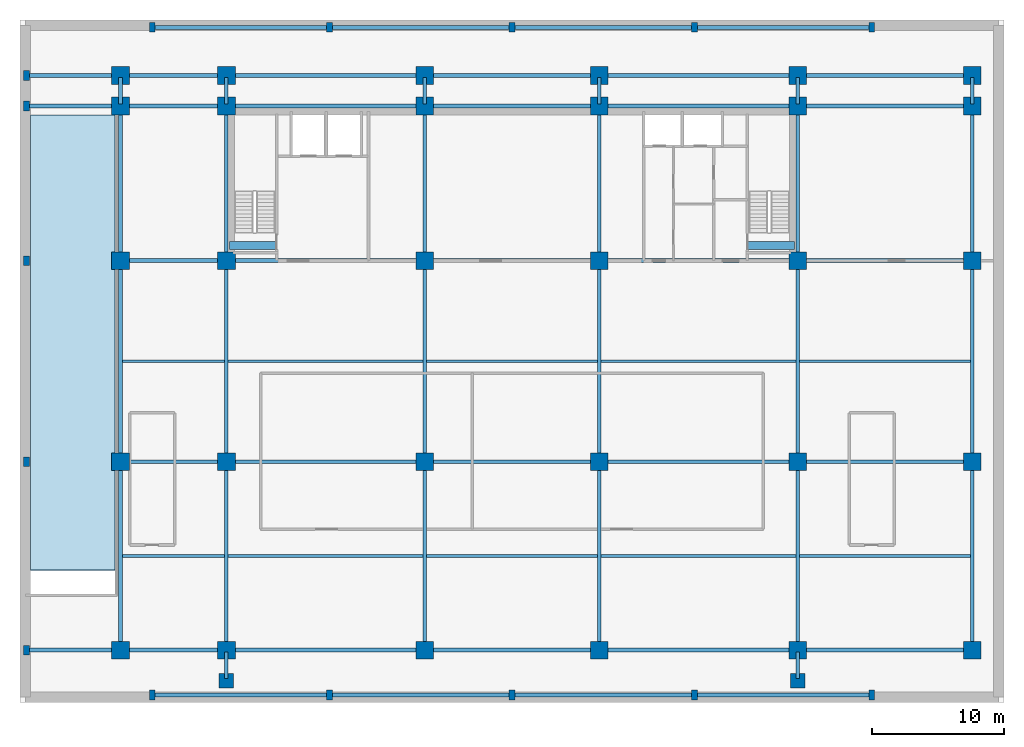
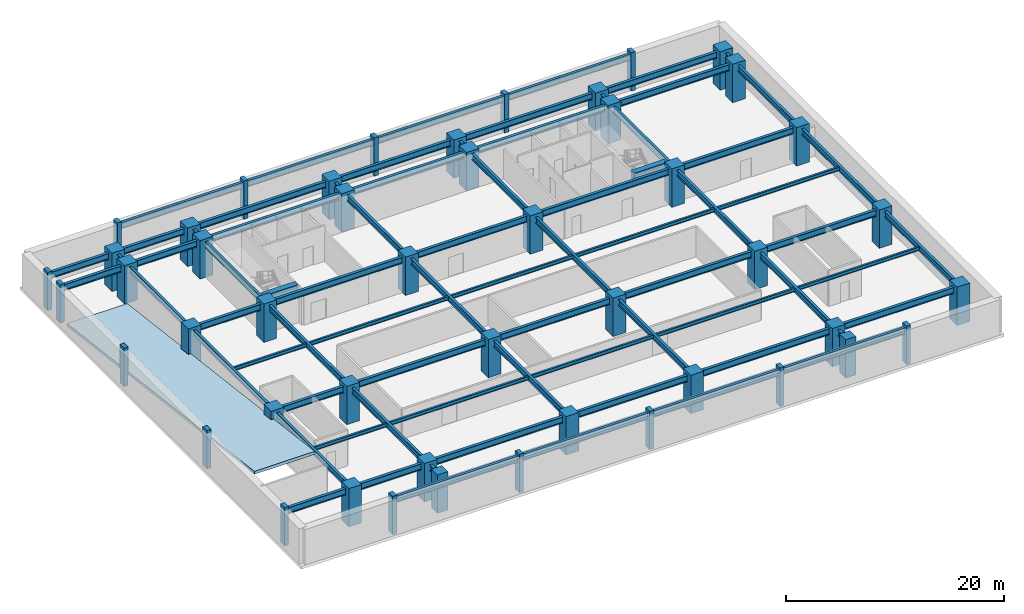
# One storey, part 1 of 8: 74 beams, 47 columns, 1 slab.
"""IFC4 building model written with IfcOpenShell, lengths in metres."""

from ifc_helpers import new_model, si_unit, direction, frame, origin, origin_2d, place, context, subcontext, project, spatial, polyline, rectangle, i_section, outline, extrude, source, transform, mapped, material, layer, layer_set, material_profile, profile_set, type_object, element, save


model = new_model("IFC4")

# Units and contexts
model_context = context("Model", 3, precision=1e-05, world=origin(), true_north=direction((0.0, 1.0)))
body_context = subcontext(model_context, "Body", "Model", "MODEL_VIEW")
ifc_project = project(units=[si_unit("LENGTHUNIT", "METRE"), si_unit("AREAUNIT", "SQUARE_METRE"), si_unit("VOLUMEUNIT", "CUBIC_METRE"), si_unit("PLANEANGLEUNIT", "RADIAN"), si_unit("MASSUNIT", "GRAM", prefix="KILO")], contexts=[model_context])

# Site, building, storey
site_placement = place(None, origin())
site = spatial("IfcSite", under=ifc_project, at=site_placement, CompositionType="ELEMENT")
building_placement = place(site_placement, origin())
building = spatial("IfcBuilding", under=site, at=building_placement, Name="Trelvane Seafront Commons", CompositionType="ELEMENT")
storey_placement = place(building_placement, frame((0.0, 0.0, -8.60009765625)))
storey = spatial("IfcBuildingStorey", under=building, at=storey_placement, Name="B02", CompositionType="ELEMENT", Elevation=-8.60009765625)

# Columns
ifc_material_1 = material(Name="Concrete C50/60", Category="concrete")
ifc_material_profile_1 = material_profile(ifc_material_1, rectangle(XDim=0.449951171875, YDim=0.75, at=origin_2d()), Name="RC-450x750")
ifc_profile_set_1 = profile_set([ifc_material_profile_1], Name="Concrete C50/60")
column_type_1 = type_object("IfcColumnType", Name="STR-PIL-RC450x750", PredefinedType="PILASTER", material=ifc_profile_set_1)
shared_shape_1 = source(origin(), body_context, "Body", "SweptSolid", [
    extrude(rectangle(XDim=0.449951171875, YDim=0.75, at=origin_2d()), origin(), (0.0, 0.0, 1.0), 4.300048828125),
])
for number, where, z_axis, x_axis, name in (
    (1, (0.5, 3.949951171875, 0.0), (0.0, 0.0, 1.0), (1.0, 0.0, 0.0), "B02 Column PC-1-1"),
    (2, (0.5, 18.199951171875, 0.0), (0.0, 0.0, 1.0), (1.0, 0.0, 0.0), "B02 Column PC-1-2"),
    (3, (0.5, 33.39990234375, 0.0), (0.0, 0.0, 1.0), (1.0, 0.0, 0.0), "B02 Column PC-1-3"),
    (4, (0.5, 45.10009765625, 0.0), (0.0, 0.0, 1.0), (1.0, 0.0, 0.0), "B02 Column PC-1-4"),
    (5, (0.5, 47.39990234375, 0.0), (0.0, 0.0, 1.0), (1.0, 0.0, 0.0), "B02 Column PC-1-5"),
    (6, (10.0, 0.550048828125, 0.0), (0.0, 0.0, 1.0), (1.0, 0.0, 0.0), "B02 Column PIL-S1"),
    (7, (10.0, 51.050048828125, 0.0), (0.0, 0.0, 1.0), (1.0, 0.0, 0.0), "B02 Column PIL-N1"),
    (8, (23.39990234375, 0.550048828125, 0.0), (0.0, 0.0, 1.0), (1.0, 0.0, 0.0), "B02 Column PIL-S2"),
    (9, (23.39990234375, 51.050048828125, 0.0), (0.0, 0.0, 1.0), (1.0, 0.0, 0.0), "B02 Column PIL-N2"),
    (10, (37.199951171875, 0.550048828125, 0.0), (0.0, 0.0, 1.0), (1.0, 0.0, 0.0), "B02 Column PIL-S3"),
    (11, (37.199951171875, 51.050048828125, 0.0), (0.0, 0.0, 1.0), (1.0, 0.0, 0.0), "B02 Column PIL-N3"),
    (12, (51.0, 0.550048828125, 0.0), (0.0, 0.0, 1.0), (1.0, 0.0, 0.0), "B02 Column PIL-S4"),
    (13, (51.0, 51.050048828125, 0.0), (0.0, 0.0, 1.0), (1.0, 0.0, 0.0), "B02 Column PIL-N4"),
    (14, (64.39990234375, 0.550048828125, 0.0), (0.0, 0.0, 1.0), (1.0, 0.0, 0.0), "B02 Column PIL-S5"),
    (15, (64.39990234375, 51.050048828125, 0.0), (0.0, 0.0, 1.0), (1.0, 0.0, 0.0), "B02 Column PIL-N5"),
):
    element("IfcColumn", number, at=place(storey_placement, frame(where, z_axis=z_axis, x_axis=x_axis)), inside=storey, type_object=column_type_1, Name=name, PredefinedType="PILASTER", context=body_context, shape_type="MappedRepresentation", body=[
        mapped(shared_shape_1, transform((0.0, 0.0, 0.0), x_axis=(1.0, 0.0, 0.0), y_axis=(0.0, 1.0, 0.0), z_axis=(0.0, 0.0, 1.0), scale=1.0)),
    ])
ifc_material_2 = material(Name="Concrete C60/75", Category="concrete")
ifc_material_profile_2 = material_profile(ifc_material_2, rectangle(XDim=1.35009765625, YDim=1.35009765625, at=origin_2d()), Name="RC-1350x1350")
ifc_profile_set_2 = profile_set([ifc_material_profile_2], Name="Concrete C60/75")
column_type_2 = type_object("IfcColumnType", Name="STR-COL-RC1350", PredefinedType="COLUMN", material=ifc_profile_set_2)
shared_shape_2 = source(origin(), body_context, "Body", "SweptSolid", [
    extrude(rectangle(XDim=1.35009765625, YDim=1.35009765625, at=origin_2d()), origin(), (0.0, 0.0, 1.0), 4.300048828125),
])
for number, where, z_axis, x_axis, name in (
    (16, (7.60009765625, 3.949951171875, 0.0), (0.0, 0.0, 1.0), (1.0, 0.0, 0.0), "B02 Column PC-2-1"),
    (17, (7.60009765625, 18.199951171875, 0.0), (0.0, 0.0, 1.0), (1.0, 0.0, 0.0), "B02 Column PC-2-2"),
    (18, (7.60009765625, 33.39990234375, 0.0), (0.0, 0.0, 1.0), (1.0, 0.0, 0.0), "B02 Column PC-2-3"),
    (19, (7.60009765625, 45.10009765625, 0.0), (0.0, 0.0, 1.0), (1.0, 0.0, 0.0), "B02 Column PC-2-4"),
    (20, (7.60009765625, 47.39990234375, 0.0), (0.0, 0.0, 1.0), (1.0, 0.0, 0.0), "B02 Column PC-2-5"),
    (21, (15.60009765625, 3.949951171875, 0.0), (0.0, 0.0, 1.0), (1.0, 0.0, 0.0), "B02 Column PC-3-1"),
    (22, (15.60009765625, 18.199951171875, 0.0), (0.0, 0.0, 1.0), (1.0, 0.0, 0.0), "B02 Column PC-3-2"),
    (23, (15.60009765625, 33.39990234375, 0.0), (0.0, 0.0, 1.0), (1.0, 0.0, 0.0), "B02 Column PC-3-3"),
    (24, (15.60009765625, 45.10009765625, 0.0), (0.0, 0.0, 1.0), (1.0, 0.0, 0.0), "B02 Column PC-3-4"),
    (25, (15.60009765625, 47.39990234375, 0.0), (0.0, 0.0, 1.0), (1.0, 0.0, 0.0), "B02 Column PC-3-5"),
    (26, (30.60009765625, 3.949951171875, 0.0), (0.0, 0.0, 1.0), (1.0, 0.0, 0.0), "B02 Column PC-4-1"),
    (27, (30.60009765625, 18.199951171875, 0.0), (0.0, 0.0, 1.0), (1.0, 0.0, 0.0), "B02 Column PC-4-2"),
    (28, (30.60009765625, 33.39990234375, 0.0), (0.0, 0.0, 1.0), (1.0, 0.0, 0.0), "B02 Column PC-4-3"),
    (29, (30.60009765625, 45.10009765625, 0.0), (0.0, 0.0, 1.0), (1.0, 0.0, 0.0), "B02 Column PC-4-4"),
    (30, (30.60009765625, 47.39990234375, 0.0), (0.0, 0.0, 1.0), (1.0, 0.0, 0.0), "B02 Column PC-4-5"),
    (31, (43.800048828125, 3.949951171875, 0.0), (0.0, 0.0, 1.0), (1.0, 0.0, 0.0), "B02 Column PC-5-1"),
    (32, (43.800048828125, 18.199951171875, 0.0), (0.0, 0.0, 1.0), (1.0, 0.0, 0.0), "B02 Column PC-5-2"),
    (33, (43.800048828125, 33.39990234375, 0.0), (0.0, 0.0, 1.0), (1.0, 0.0, 0.0), "B02 Column PC-5-3"),
    (34, (43.800048828125, 45.10009765625, 0.0), (0.0, 0.0, 1.0), (1.0, 0.0, 0.0), "B02 Column PC-5-4"),
    (35, (43.800048828125, 47.39990234375, 0.0), (0.0, 0.0, 1.0), (1.0, 0.0, 0.0), "B02 Column PC-5-5"),
    (36, (58.800048828125, 3.949951171875, 0.0), (0.0, 0.0, 1.0), (1.0, 0.0, 0.0), "B02 Column PC-6-1"),
    (37, (58.800048828125, 18.199951171875, 0.0), (0.0, 0.0, 1.0), (1.0, 0.0, 0.0), "B02 Column PC-6-2"),
    (38, (58.800048828125, 33.39990234375, 0.0), (0.0, 0.0, 1.0), (1.0, 0.0, 0.0), "B02 Column PC-6-3"),
    (39, (58.800048828125, 45.10009765625, 0.0), (0.0, 0.0, 1.0), (1.0, 0.0, 0.0), "B02 Column PC-6-4"),
    (40, (58.800048828125, 47.39990234375, 0.0), (0.0, 0.0, 1.0), (1.0, 0.0, 0.0), "B02 Column PC-6-5"),
    (41, (72.0, 3.949951171875, 0.0), (0.0, 0.0, 1.0), (1.0, 0.0, 0.0), "B02 Column PC-7-1"),
    (42, (72.0, 18.199951171875, 0.0), (0.0, 0.0, 1.0), (1.0, 0.0, 0.0), "B02 Column PC-7-2"),
    (43, (72.0, 33.39990234375, 0.0), (0.0, 0.0, 1.0), (1.0, 0.0, 0.0), "B02 Column PC-7-3"),
    (44, (72.0, 45.10009765625, 0.0), (0.0, 0.0, 1.0), (1.0, 0.0, 0.0), "B02 Column PC-7-4"),
    (45, (72.0, 47.39990234375, 0.0), (0.0, 0.0, 1.0), (1.0, 0.0, 0.0), "B02 Column PC-7-5"),
):
    element("IfcColumn", number, at=place(storey_placement, frame(where, z_axis=z_axis, x_axis=x_axis)), inside=storey, type_object=column_type_2, Name=name, PredefinedType="COLUMN", context=body_context, shape_type="MappedRepresentation", body=[
        mapped(shared_shape_2, transform((0.0, 0.0, 0.0), x_axis=(1.0, 0.0, 0.0), y_axis=(0.0, 1.0, 0.0), z_axis=(0.0, 0.0, 1.0), scale=1.0)),
    ])
ifc_material_profile_3 = material_profile(ifc_material_2, rectangle(XDim=1.10009765625, YDim=1.10009765625, at=origin_2d()), Name="RC-1100x1100")
ifc_profile_set_3 = profile_set([ifc_material_profile_3], Name="Concrete C60/75")
column_type_3 = type_object("IfcColumnType", Name="STR-COL-RC1100", PredefinedType="COLUMN", material=ifc_profile_set_3)
shared_shape_3 = source(origin(), body_context, "Body", "SweptSolid", [
    extrude(rectangle(XDim=1.10009765625, YDim=1.10009765625, at=origin_2d()), origin(), (0.0, 0.0, 1.0), 4.300048828125),
])
for number, where, z_axis, x_axis, name in (
    (46, (15.60009765625, 1.64990234375, 0.0), (0.0, 0.0, 1.0), (1.0, 0.0, 0.0), "B02 Column PIL-VP-W"),
    (47, (58.800048828125, 1.64990234375, 0.0), (0.0, 0.0, 1.0), (1.0, 0.0, 0.0), "B02 Column PIL-VP-E"),
):
    element("IfcColumn", number, at=place(storey_placement, frame(where, z_axis=z_axis, x_axis=x_axis)), inside=storey, type_object=column_type_3, Name=name, PredefinedType="COLUMN", context=body_context, shape_type="MappedRepresentation", body=[
        mapped(shared_shape_3, transform((0.0, 0.0, 0.0), x_axis=(1.0, 0.0, 0.0), y_axis=(0.0, 1.0, 0.0), z_axis=(0.0, 0.0, 1.0), scale=1.0)),
    ])

# Beams
ifc_material_3 = material(Name="Steel SM355 (S355)", Category="steel")
ifc_material_profile_4 = material_profile(ifc_material_3, i_section(OverallWidth=0.280029296875, OverallDepth=0.64990234375, WebThickness=0.012939453125, FlangeThickness=0.02197265625, at=origin_2d()), Name="H-650x280x13x22")
ifc_profile_set_4 = profile_set([ifc_material_profile_4], Name="Steel SM355 (S355)")
beam_type_1 = type_object("IfcBeamType", Name="STR-BM-H650", PredefinedType="BEAM", material=ifc_profile_set_4)
shared_shape_4 = source(origin(), body_context, "Body", "SweptSolid", [
    extrude(i_section(OverallWidth=0.280029296875, OverallDepth=0.64990234375, WebThickness=0.012939453125, FlangeThickness=0.02197265625, at=origin_2d()), origin(), (0.0, 0.0, 1.0), 13.949951171875),
])
for number, where, z_axis, x_axis, name in (
    (48, (7.60009765625, 4.10009765625, 3.655029296875), (0.0, 1.0, 0.0), (-1.0, 0.0, 0.0), "B02 Primary Girder G-39"),
    (49, (15.60009765625, 4.10009765625, 3.655029296875), (0.0, 1.0, 0.0), (-1.0, 0.0, 0.0), "B02 Primary Girder G-44"),
    (50, (30.60009765625, 4.10009765625, 3.655029296875), (0.0, 1.0, 0.0), (-1.0, 0.0, 0.0), "B02 Primary Girder G-48"),
    (51, (43.800048828125, 4.10009765625, 3.655029296875), (0.0, 1.0, 0.0), (-1.0, 0.0, 0.0), "B02 Primary Girder G-52"),
    (52, (58.800048828125, 4.10009765625, 3.655029296875), (0.0, 1.0, 0.0), (-1.0, 0.0, 0.0), "B02 Primary Girder G-57"),
    (53, (72.0, 4.10009765625, 3.655029296875), (0.0, 1.0, 0.0), (-1.0, 0.0, 0.0), "B02 Primary Girder G-61"),
):
    element("IfcBeam", number, at=place(storey_placement, frame(where, z_axis=z_axis, x_axis=x_axis)), inside=storey, type_object=beam_type_1, Name=name, PredefinedType="BEAM", context=body_context, shape_type="MappedRepresentation", body=[
        mapped(shared_shape_4, transform((0.0, 0.0, 0.0), x_axis=(1.0, 0.0, 0.0), y_axis=(0.0, 1.0, 0.0), z_axis=(0.0, 0.0, 1.0), scale=1.0)),
    ])
shared_shape_5 = source(origin(), body_context, "Body", "SweptSolid", [
    extrude(i_section(OverallWidth=0.280029296875, OverallDepth=0.64990234375, WebThickness=0.012939453125, FlangeThickness=0.02197265625, at=origin_2d()), origin(), (0.0, 0.0, 1.0), 14.89990234375),
])
for number, where, z_axis, x_axis, name in (
    (54, (7.60009765625, 18.35009765625, 3.655029296875), (0.0, 1.0, 0.0), (-1.0, 0.0, 0.0), "B02 Primary Girder G-40"),
    (55, (15.60009765625, 18.35009765625, 3.655029296875), (0.0, 1.0, 0.0), (-1.0, 0.0, 0.0), "B02 Primary Girder G-45"),
    (56, (30.60009765625, 18.35009765625, 3.655029296875), (0.0, 1.0, 0.0), (-1.0, 0.0, 0.0), "B02 Primary Girder G-49"),
    (57, (43.800048828125, 18.35009765625, 3.655029296875), (0.0, 1.0, 0.0), (-1.0, 0.0, 0.0), "B02 Primary Girder G-53"),
    (58, (58.800048828125, 18.35009765625, 3.655029296875), (0.0, 1.0, 0.0), (-1.0, 0.0, 0.0), "B02 Primary Girder G-58"),
    (59, (72.0, 18.35009765625, 3.655029296875), (0.0, 1.0, 0.0), (-1.0, 0.0, 0.0), "B02 Primary Girder G-62"),
):
    element("IfcBeam", number, at=place(storey_placement, frame(where, z_axis=z_axis, x_axis=x_axis)), inside=storey, type_object=beam_type_1, Name=name, PredefinedType="BEAM", context=body_context, shape_type="MappedRepresentation", body=[
        mapped(shared_shape_5, transform((0.0, 0.0, 0.0), x_axis=(1.0, 0.0, 0.0), y_axis=(0.0, 1.0, 0.0), z_axis=(0.0, 0.0, 1.0), scale=1.0)),
    ])
shared_shape_6 = source(origin(), body_context, "Body", "SweptSolid", [
    extrude(i_section(OverallWidth=0.280029296875, OverallDepth=0.64990234375, WebThickness=0.012939453125, FlangeThickness=0.02197265625, at=origin_2d()), origin(), (0.0, 0.0, 1.0), 11.39990234375),
])
for number, where, z_axis, x_axis, name in (
    (60, (7.60009765625, 33.550048828125, 3.655029296875), (0.0, 1.0, 0.0), (-1.0, 0.0, 0.0), "B02 Primary Girder G-41"),
    (61, (15.60009765625, 33.550048828125, 3.655029296875), (0.0, 1.0, 0.0), (-1.0, 0.0, 0.0), "B02 Primary Girder G-46"),
    (62, (30.60009765625, 33.550048828125, 3.655029296875), (0.0, 1.0, 0.0), (-1.0, 0.0, 0.0), "B02 Primary Girder G-50"),
    (63, (43.800048828125, 33.550048828125, 3.655029296875), (0.0, 1.0, 0.0), (-1.0, 0.0, 0.0), "B02 Primary Girder G-54"),
    (64, (58.800048828125, 33.550048828125, 3.655029296875), (0.0, 1.0, 0.0), (-1.0, 0.0, 0.0), "B02 Primary Girder G-59"),
    (65, (72.0, 33.550048828125, 3.655029296875), (0.0, 1.0, 0.0), (-1.0, 0.0, 0.0), "B02 Primary Girder G-63"),
):
    element("IfcBeam", number, at=place(storey_placement, frame(where, z_axis=z_axis, x_axis=x_axis)), inside=storey, type_object=beam_type_1, Name=name, PredefinedType="BEAM", context=body_context, shape_type="MappedRepresentation", body=[
        mapped(shared_shape_6, transform((0.0, 0.0, 0.0), x_axis=(1.0, 0.0, 0.0), y_axis=(0.0, 1.0, 0.0), z_axis=(0.0, 0.0, 1.0), scale=1.0)),
    ])
shared_shape_7 = source(origin(), body_context, "Body", "SweptSolid", [
    extrude(i_section(OverallWidth=0.280029296875, OverallDepth=0.64990234375, WebThickness=0.012939453125, FlangeThickness=0.02197265625, at=origin_2d()), origin(), (0.0, 0.0, 1.0), 2.0),
])
for number, where, z_axis, x_axis, name in (
    (66, (7.60009765625, 45.25, 3.655029296875), (0.0, 1.0, 0.0), (-1.0, 0.0, 0.0), "B02 Primary Girder G-42"),
    (67, (15.60009765625, 1.800048828125, 3.655029296875), (0.0, 1.0, 0.0), (-1.0, 0.0, 0.0), "B02 Primary Girder G-43"),
    (68, (15.60009765625, 45.25, 3.655029296875), (0.0, 1.0, 0.0), (-1.0, 0.0, 0.0), "B02 Primary Girder G-47"),
    (69, (30.60009765625, 45.25, 3.655029296875), (0.0, 1.0, 0.0), (-1.0, 0.0, 0.0), "B02 Primary Girder G-51"),
    (70, (43.800048828125, 45.25, 3.655029296875), (0.0, 1.0, 0.0), (-1.0, 0.0, 0.0), "B02 Primary Girder G-55"),
    (71, (58.800048828125, 1.800048828125, 3.655029296875), (0.0, 1.0, 0.0), (-1.0, 0.0, 0.0), "B02 Primary Girder G-56"),
    (72, (58.800048828125, 45.25, 3.655029296875), (0.0, 1.0, 0.0), (-1.0, 0.0, 0.0), "B02 Primary Girder G-60"),
    (73, (72.0, 45.25, 3.655029296875), (0.0, 1.0, 0.0), (-1.0, 0.0, 0.0), "B02 Primary Girder G-64"),
):
    element("IfcBeam", number, at=place(storey_placement, frame(where, z_axis=z_axis, x_axis=x_axis)), inside=storey, type_object=beam_type_1, Name=name, PredefinedType="BEAM", context=body_context, shape_type="MappedRepresentation", body=[
        mapped(shared_shape_7, transform((0.0, 0.0, 0.0), x_axis=(1.0, 0.0, 0.0), y_axis=(0.0, 1.0, 0.0), z_axis=(0.0, 0.0, 1.0), scale=1.0)),
    ])
ifc_material_profile_5 = material_profile(ifc_material_3, i_section(OverallWidth=0.199951171875, OverallDepth=0.39990234375, WebThickness=0.008056640625, FlangeThickness=0.012939453125, at=origin_2d()), Name="H-400x200x8x13")
ifc_profile_set_5 = profile_set([ifc_material_profile_5], Name="Steel SM355 (S355)")
beam_type_2 = type_object("IfcBeamType", Name="STR-JST-H400", PredefinedType="JOIST", material=ifc_profile_set_5)
shared_shape_8 = source(origin(), body_context, "Body", "SweptSolid", [
    extrude(i_section(OverallWidth=0.199951171875, OverallDepth=0.39990234375, WebThickness=0.008056640625, FlangeThickness=0.012939453125, at=origin_2d()), origin(), (0.0, 0.0, 1.0), 7.719970703125),
])
for number, where, z_axis, x_axis, name in (
    (74, (7.739990234375, 11.074951171875, 3.780029296875), (1.0, 0.0, 0.0), (0.0, 1.0, 0.0), "B02 Secondary Floor Joist B-65"),
    (75, (7.739990234375, 25.800048828125, 3.780029296875), (1.0, 0.0, 0.0), (0.0, 1.0, 0.0), "B02 Secondary Floor Joist B-70"),
):
    element("IfcBeam", number, at=place(storey_placement, frame(where, z_axis=z_axis, x_axis=x_axis)), inside=storey, type_object=beam_type_2, Name=name, PredefinedType="JOIST", context=body_context, shape_type="MappedRepresentation", body=[
        mapped(shared_shape_8, transform((0.0, 0.0, 0.0), x_axis=(1.0, 0.0, 0.0), y_axis=(0.0, 1.0, 0.0), z_axis=(0.0, 0.0, 1.0), scale=1.0)),
    ])
shared_shape_9 = source(origin(), body_context, "Body", "SweptSolid", [
    extrude(i_section(OverallWidth=0.199951171875, OverallDepth=0.39990234375, WebThickness=0.008056640625, FlangeThickness=0.012939453125, at=origin_2d()), origin(), (0.0, 0.0, 1.0), 14.719970703125),
])
for number, where, z_axis, x_axis, name in (
    (76, (15.739990234375, 11.074951171875, 3.780029296875), (1.0, 0.0, 0.0), (0.0, 1.0, 0.0), "B02 Secondary Floor Joist B-66"),
    (77, (43.93994140625, 11.074951171875, 3.780029296875), (1.0, 0.0, 0.0), (0.0, 1.0, 0.0), "B02 Secondary Floor Joist B-68"),
    (78, (15.739990234375, 25.800048828125, 3.780029296875), (1.0, 0.0, 0.0), (0.0, 1.0, 0.0), "B02 Secondary Floor Joist B-71"),
    (79, (43.93994140625, 25.800048828125, 3.780029296875), (1.0, 0.0, 0.0), (0.0, 1.0, 0.0), "B02 Secondary Floor Joist B-73"),
):
    element("IfcBeam", number, at=place(storey_placement, frame(where, z_axis=z_axis, x_axis=x_axis)), inside=storey, type_object=beam_type_2, Name=name, PredefinedType="JOIST", context=body_context, shape_type="MappedRepresentation", body=[
        mapped(shared_shape_9, transform((0.0, 0.0, 0.0), x_axis=(1.0, 0.0, 0.0), y_axis=(0.0, 1.0, 0.0), z_axis=(0.0, 0.0, 1.0), scale=1.0)),
    ])
shared_shape_10 = source(origin(), body_context, "Body", "SweptSolid", [
    extrude(i_section(OverallWidth=0.199951171875, OverallDepth=0.39990234375, WebThickness=0.008056640625, FlangeThickness=0.012939453125, at=origin_2d()), origin(), (0.0, 0.0, 1.0), 12.919921875),
])
for number, where, z_axis, x_axis, name in (
    (80, (30.739990234375, 11.074951171875, 3.780029296875), (1.0, 0.0, 0.0), (0.0, 1.0, 0.0), "B02 Secondary Floor Joist B-67"),
    (81, (30.739990234375, 25.800048828125, 3.780029296875), (1.0, 0.0, 0.0), (0.0, 1.0, 0.0), "B02 Secondary Floor Joist B-72"),
):
    element("IfcBeam", number, at=place(storey_placement, frame(where, z_axis=z_axis, x_axis=x_axis)), inside=storey, type_object=beam_type_2, Name=name, PredefinedType="JOIST", context=body_context, shape_type="MappedRepresentation", body=[
        mapped(shared_shape_10, transform((0.0, 0.0, 0.0), x_axis=(1.0, 0.0, 0.0), y_axis=(0.0, 1.0, 0.0), z_axis=(0.0, 0.0, 1.0), scale=1.0)),
    ])
shared_shape_11 = source(origin(), body_context, "Body", "SweptSolid", [
    extrude(i_section(OverallWidth=0.199951171875, OverallDepth=0.39990234375, WebThickness=0.008056640625, FlangeThickness=0.012939453125, at=origin_2d()), origin(), (0.0, 0.0, 1.0), 12.920166015625),
])
for number, where, z_axis, x_axis, name in (
    (82, (58.93994140625, 11.074951171875, 3.780029296875), (1.0, 0.0, 0.0), (0.0, 1.0, 0.0), "B02 Secondary Floor Joist B-69"),
    (83, (58.93994140625, 25.800048828125, 3.780029296875), (1.0, 0.0, 0.0), (0.0, 1.0, 0.0), "B02 Secondary Floor Joist B-74"),
):
    element("IfcBeam", number, at=place(storey_placement, frame(where, z_axis=z_axis, x_axis=x_axis)), inside=storey, type_object=beam_type_2, Name=name, PredefinedType="JOIST", context=body_context, shape_type="MappedRepresentation", body=[
        mapped(shared_shape_11, transform((0.0, 0.0, 0.0), x_axis=(1.0, 0.0, 0.0), y_axis=(0.0, 1.0, 0.0), z_axis=(0.0, 0.0, 1.0), scale=1.0)),
    ])
ifc_material_profile_6 = material_profile(ifc_material_2, rectangle(XDim=0.60009765625, YDim=0.89990234375, at=origin_2d()), Name="RC-600x900")
ifc_profile_set_6 = profile_set([ifc_material_profile_6], Name="Concrete C60/75")
beam_type_3 = type_object("IfcBeamType", Name="STR-LNT-RC600x900", PredefinedType="LINTEL", material=ifc_profile_set_6)
shared_shape_12 = source(origin(), body_context, "Body", "SweptSolid", [
    extrude(rectangle(XDim=0.60009765625, YDim=0.89990234375, at=origin_2d()), origin(), (0.0, 0.0, 1.0), 3.5498046875),
])
beam_1_placement = place(storey_placement, frame((15.85009765625, 34.550048828125, 3.530029296875), z_axis=(1.0, 0.0, 0.0), x_axis=(0.0, 1.0, 0.0)))
element("IfcBeam", 84, at=beam_1_placement, inside=storey, type_object=beam_type_3, Name="B02 Core Coupling Lintel Beam CB-75", PredefinedType="LINTEL", context=body_context, shape_type="MappedRepresentation", body=[
    mapped(shared_shape_12, transform((0.0, 0.0, 0.0), x_axis=(1.0, 0.0, 0.0), y_axis=(0.0, 1.0, 0.0), z_axis=(0.0, 0.0, 1.0), scale=1.0)),
])
shared_shape_13 = source(origin(), body_context, "Body", "SweptSolid", [
    extrude(rectangle(XDim=0.60009765625, YDim=0.89990234375, at=origin_2d()), origin(), (0.0, 0.0, 1.0), 3.550048828125),
])
beam_2_placement = place(storey_placement, frame((55.0, 34.550048828125, 3.530029296875), z_axis=(1.0, 0.0, 0.0), x_axis=(0.0, 1.0, 0.0)))
element("IfcBeam", 85, at=beam_2_placement, inside=storey, type_object=beam_type_3, Name="B02 Core Coupling Lintel Beam CB-76", PredefinedType="LINTEL", context=body_context, shape_type="MappedRepresentation", body=[
    mapped(shared_shape_13, transform((0.0, 0.0, 0.0), x_axis=(1.0, 0.0, 0.0), y_axis=(0.0, 1.0, 0.0), z_axis=(0.0, 0.0, 1.0), scale=1.0)),
])
ifc_material_profile_7 = material_profile(ifc_material_3, i_section(OverallWidth=0.300048828125, OverallDepth=0.699951171875, WebThickness=0.012939453125, FlangeThickness=0.02392578125, at=origin_2d()), Name="H-700x300x13x24")
ifc_profile_set_7 = profile_set([ifc_material_profile_7], Name="Steel SM355 (S355)")
beam_type_4 = type_object("IfcBeamType", Name="STR-BM-H700", PredefinedType="BEAM", material=ifc_profile_set_7)
shared_shape_14 = source(origin(), body_context, "Body", "SweptSolid", [
    extrude(i_section(OverallWidth=0.300048828125, OverallDepth=0.699951171875, WebThickness=0.012939453125, FlangeThickness=0.02392578125, at=origin_2d()), origin(), (0.0, 0.0, 1.0), 13.175048828125),
])
for number, where, z_axis, x_axis, name in (
    (86, (10.112548828125, 0.550048828125, 3.630126953125), (1.0, 0.0, 0.0), (0.0, 1.0, 0.0), "B02 Primary Girder G-01"),
    (87, (51.112548828125, 0.550048828125, 3.630126953125), (1.0, 0.0, 0.0), (0.0, 1.0, 0.0), "B02 Primary Girder G-04"),
    (88, (10.112548828125, 51.050048828125, 3.630126953125), (1.0, 0.0, 0.0), (0.0, 1.0, 0.0), "B02 Primary Girder G-35"),
    (89, (51.112548828125, 51.050048828125, 3.630126953125), (1.0, 0.0, 0.0), (0.0, 1.0, 0.0), "B02 Primary Girder G-38"),
):
    element("IfcBeam", number, at=place(storey_placement, frame(where, z_axis=z_axis, x_axis=x_axis)), inside=storey, type_object=beam_type_4, Name=name, PredefinedType="BEAM", context=body_context, shape_type="MappedRepresentation", body=[
        mapped(shared_shape_14, transform((0.0, 0.0, 0.0), x_axis=(1.0, 0.0, 0.0), y_axis=(0.0, 1.0, 0.0), z_axis=(0.0, 0.0, 1.0), scale=1.0)),
    ])
shared_shape_15 = source(origin(), body_context, "Body", "SweptSolid", [
    extrude(i_section(OverallWidth=0.300048828125, OverallDepth=0.699951171875, WebThickness=0.012939453125, FlangeThickness=0.02392578125, at=origin_2d()), origin(), (0.0, 0.0, 1.0), 13.574951171875),
])
for number, where, z_axis, x_axis, name in (
    (90, (23.512451171875, 0.550048828125, 3.630126953125), (1.0, 0.0, 0.0), (0.0, 1.0, 0.0), "B02 Primary Girder G-02"),
    (91, (37.3125, 0.550048828125, 3.630126953125), (1.0, 0.0, 0.0), (0.0, 1.0, 0.0), "B02 Primary Girder G-03"),
    (92, (23.512451171875, 51.050048828125, 3.630126953125), (1.0, 0.0, 0.0), (0.0, 1.0, 0.0), "B02 Primary Girder G-36"),
    (93, (37.3125, 51.050048828125, 3.630126953125), (1.0, 0.0, 0.0), (0.0, 1.0, 0.0), "B02 Primary Girder G-37"),
):
    element("IfcBeam", number, at=place(storey_placement, frame(where, z_axis=z_axis, x_axis=x_axis)), inside=storey, type_object=beam_type_4, Name=name, PredefinedType="BEAM", context=body_context, shape_type="MappedRepresentation", body=[
        mapped(shared_shape_15, transform((0.0, 0.0, 0.0), x_axis=(1.0, 0.0, 0.0), y_axis=(0.0, 1.0, 0.0), z_axis=(0.0, 0.0, 1.0), scale=1.0)),
    ])
shared_shape_16 = source(origin(), body_context, "Body", "SweptSolid", [
    extrude(i_section(OverallWidth=0.300048828125, OverallDepth=0.699951171875, WebThickness=0.012939453125, FlangeThickness=0.02392578125, at=origin_2d()), origin(), (0.0, 0.0, 1.0), 6.83740234375),
])
for number, where, z_axis, x_axis, name in (
    (94, (0.612548828125, 3.949951171875, 3.630126953125), (1.0, 0.0, 0.0), (0.0, 1.0, 0.0), "B02 Primary Girder G-05"),
    (95, (0.612548828125, 45.10009765625, 3.630126953125), (1.0, 0.0, 0.0), (0.0, 1.0, 0.0), "B02 Primary Girder G-23"),
    (96, (0.612548828125, 47.39990234375, 3.630126953125), (1.0, 0.0, 0.0), (0.0, 1.0, 0.0), "B02 Primary Girder G-29"),
):
    element("IfcBeam", number, at=place(storey_placement, frame(where, z_axis=z_axis, x_axis=x_axis)), inside=storey, type_object=beam_type_4, Name=name, PredefinedType="BEAM", context=body_context, shape_type="MappedRepresentation", body=[
        mapped(shared_shape_16, transform((0.0, 0.0, 0.0), x_axis=(1.0, 0.0, 0.0), y_axis=(0.0, 1.0, 0.0), z_axis=(0.0, 0.0, 1.0), scale=1.0)),
    ])
shared_shape_17 = source(origin(), body_context, "Body", "SweptSolid", [
    extrude(i_section(OverallWidth=0.300048828125, OverallDepth=0.699951171875, WebThickness=0.012939453125, FlangeThickness=0.02392578125, at=origin_2d()), origin(), (0.0, 0.0, 1.0), 7.699951171875),
])
for number, where, z_axis, x_axis, name in (
    (97, (7.75, 3.949951171875, 3.630126953125), (1.0, 0.0, 0.0), (0.0, 1.0, 0.0), "B02 Primary Girder G-06"),
    (98, (7.75, 18.199951171875, 3.630126953125), (1.0, 0.0, 0.0), (0.0, 1.0, 0.0), "B02 Primary Girder G-12"),
    (99, (7.75, 33.39990234375, 3.630126953125), (1.0, 0.0, 0.0), (0.0, 1.0, 0.0), "B02 Primary Girder G-18"),
    (100, (7.75, 45.10009765625, 3.630126953125), (1.0, 0.0, 0.0), (0.0, 1.0, 0.0), "B02 Primary Girder G-24"),
    (101, (7.75, 47.39990234375, 3.630126953125), (1.0, 0.0, 0.0), (0.0, 1.0, 0.0), "B02 Primary Girder G-30"),
):
    element("IfcBeam", number, at=place(storey_placement, frame(where, z_axis=z_axis, x_axis=x_axis)), inside=storey, type_object=beam_type_4, Name=name, PredefinedType="BEAM", context=body_context, shape_type="MappedRepresentation", body=[
        mapped(shared_shape_17, transform((0.0, 0.0, 0.0), x_axis=(1.0, 0.0, 0.0), y_axis=(0.0, 1.0, 0.0), z_axis=(0.0, 0.0, 1.0), scale=1.0)),
    ])
shared_shape_18 = source(origin(), body_context, "Body", "SweptSolid", [
    extrude(i_section(OverallWidth=0.300048828125, OverallDepth=0.699951171875, WebThickness=0.012939453125, FlangeThickness=0.02392578125, at=origin_2d()), origin(), (0.0, 0.0, 1.0), 14.699951171875),
])
for number, where, z_axis, x_axis, name in (
    (102, (15.75, 3.949951171875, 3.630126953125), (1.0, 0.0, 0.0), (0.0, 1.0, 0.0), "B02 Primary Girder G-07"),
    (103, (43.949951171875, 3.949951171875, 3.630126953125), (1.0, 0.0, 0.0), (0.0, 1.0, 0.0), "B02 Primary Girder G-09"),
    (104, (15.75, 18.199951171875, 3.630126953125), (1.0, 0.0, 0.0), (0.0, 1.0, 0.0), "B02 Primary Girder G-13"),
    (105, (43.949951171875, 18.199951171875, 3.630126953125), (1.0, 0.0, 0.0), (0.0, 1.0, 0.0), "B02 Primary Girder G-15"),
    (106, (15.75, 33.39990234375, 3.630126953125), (1.0, 0.0, 0.0), (0.0, 1.0, 0.0), "B02 Primary Girder G-19"),
    (107, (43.949951171875, 33.39990234375, 3.630126953125), (1.0, 0.0, 0.0), (0.0, 1.0, 0.0), "B02 Primary Girder G-21"),
    (108, (15.75, 45.10009765625, 3.630126953125), (1.0, 0.0, 0.0), (0.0, 1.0, 0.0), "B02 Primary Girder G-25"),
    (109, (43.949951171875, 45.10009765625, 3.630126953125), (1.0, 0.0, 0.0), (0.0, 1.0, 0.0), "B02 Primary Girder G-27"),
    (110, (15.75, 47.39990234375, 3.630126953125), (1.0, 0.0, 0.0), (0.0, 1.0, 0.0), "B02 Primary Girder G-31"),
    (111, (43.949951171875, 47.39990234375, 3.630126953125), (1.0, 0.0, 0.0), (0.0, 1.0, 0.0), "B02 Primary Girder G-33"),
):
    element("IfcBeam", number, at=place(storey_placement, frame(where, z_axis=z_axis, x_axis=x_axis)), inside=storey, type_object=beam_type_4, Name=name, PredefinedType="BEAM", context=body_context, shape_type="MappedRepresentation", body=[
        mapped(shared_shape_18, transform((0.0, 0.0, 0.0), x_axis=(1.0, 0.0, 0.0), y_axis=(0.0, 1.0, 0.0), z_axis=(0.0, 0.0, 1.0), scale=1.0)),
    ])
shared_shape_19 = source(origin(), body_context, "Body", "SweptSolid", [
    extrude(i_section(OverallWidth=0.300048828125, OverallDepth=0.699951171875, WebThickness=0.012939453125, FlangeThickness=0.02392578125, at=origin_2d()), origin(), (0.0, 0.0, 1.0), 12.89990234375),
])
for number, where, z_axis, x_axis, name in (
    (112, (30.75, 3.949951171875, 3.630126953125), (1.0, 0.0, 0.0), (0.0, 1.0, 0.0), "B02 Primary Girder G-08"),
    (113, (30.75, 18.199951171875, 3.630126953125), (1.0, 0.0, 0.0), (0.0, 1.0, 0.0), "B02 Primary Girder G-14"),
    (114, (30.75, 33.39990234375, 3.630126953125), (1.0, 0.0, 0.0), (0.0, 1.0, 0.0), "B02 Primary Girder G-20"),
    (115, (30.75, 45.10009765625, 3.630126953125), (1.0, 0.0, 0.0), (0.0, 1.0, 0.0), "B02 Primary Girder G-26"),
    (116, (30.75, 47.39990234375, 3.630126953125), (1.0, 0.0, 0.0), (0.0, 1.0, 0.0), "B02 Primary Girder G-32"),
):
    element("IfcBeam", number, at=place(storey_placement, frame(where, z_axis=z_axis, x_axis=x_axis)), inside=storey, type_object=beam_type_4, Name=name, PredefinedType="BEAM", context=body_context, shape_type="MappedRepresentation", body=[
        mapped(shared_shape_19, transform((0.0, 0.0, 0.0), x_axis=(1.0, 0.0, 0.0), y_axis=(0.0, 1.0, 0.0), z_axis=(0.0, 0.0, 1.0), scale=1.0)),
    ])
shared_shape_20 = source(origin(), body_context, "Body", "SweptSolid", [
    extrude(i_section(OverallWidth=0.300048828125, OverallDepth=0.699951171875, WebThickness=0.012939453125, FlangeThickness=0.02392578125, at=origin_2d()), origin(), (0.0, 0.0, 1.0), 12.900146484375),
])
for number, where, z_axis, x_axis, name in (
    (117, (58.949951171875, 3.949951171875, 3.630126953125), (1.0, 0.0, 0.0), (0.0, 1.0, 0.0), "B02 Primary Girder G-10"),
    (118, (58.949951171875, 18.199951171875, 3.630126953125), (1.0, 0.0, 0.0), (0.0, 1.0, 0.0), "B02 Primary Girder G-16"),
    (119, (58.949951171875, 33.39990234375, 3.630126953125), (1.0, 0.0, 0.0), (0.0, 1.0, 0.0), "B02 Primary Girder G-22"),
    (120, (58.949951171875, 45.10009765625, 3.630126953125), (1.0, 0.0, 0.0), (0.0, 1.0, 0.0), "B02 Primary Girder G-28"),
    (121, (58.949951171875, 47.39990234375, 3.630126953125), (1.0, 0.0, 0.0), (0.0, 1.0, 0.0), "B02 Primary Girder G-34"),
):
    element("IfcBeam", number, at=place(storey_placement, frame(where, z_axis=z_axis, x_axis=x_axis)), inside=storey, type_object=beam_type_4, Name=name, PredefinedType="BEAM", context=body_context, shape_type="MappedRepresentation", body=[
        mapped(shared_shape_20, transform((0.0, 0.0, 0.0), x_axis=(1.0, 0.0, 0.0), y_axis=(0.0, 1.0, 0.0), z_axis=(0.0, 0.0, 1.0), scale=1.0)),
    ])

# Slab
ifc_material_4 = material(Name="Concrete C40/50", Category="concrete")
ifc_layer = layer(ifc_material_4, 0.300048828125, Name="STR-SLB-VRAMP300")
ifc_layer_set = layer_set([ifc_layer], Name="Concrete C40/50")
slab_type = type_object("IfcSlabType", Name="STR-SLB-VRAMP300", PredefinedType="USERDEFINED", material=ifc_layer_set)
slab_placement = place(storey_placement, frame((0.800048828125, 10.0, 4.300048828125), z_axis=(0.0, 0.124036468084, 0.992277660025), x_axis=(1.0, 0.0, 0.0)))
element("IfcSlab", 122, at=slab_placement, inside=storey, type_object=slab_type, Name="Basement Two-Way Car Park Vehicle Ramp Slab R-B2", ObjectType="VEHICLE RAMP", PredefinedType="USERDEFINED", context=body_context, shape_type="SweptSolid", body=[
    extrude(outline(polyline([(0.0, 0.0), (6.39990234375, 0.0), (6.39990234375, 34.667617471983796), (0.0, 34.667617471983796), (0.0, 0.0)])), origin(), (0.0, 0.0, -1.0), 0.300048828125),
])

save(model, "model.ifc")
